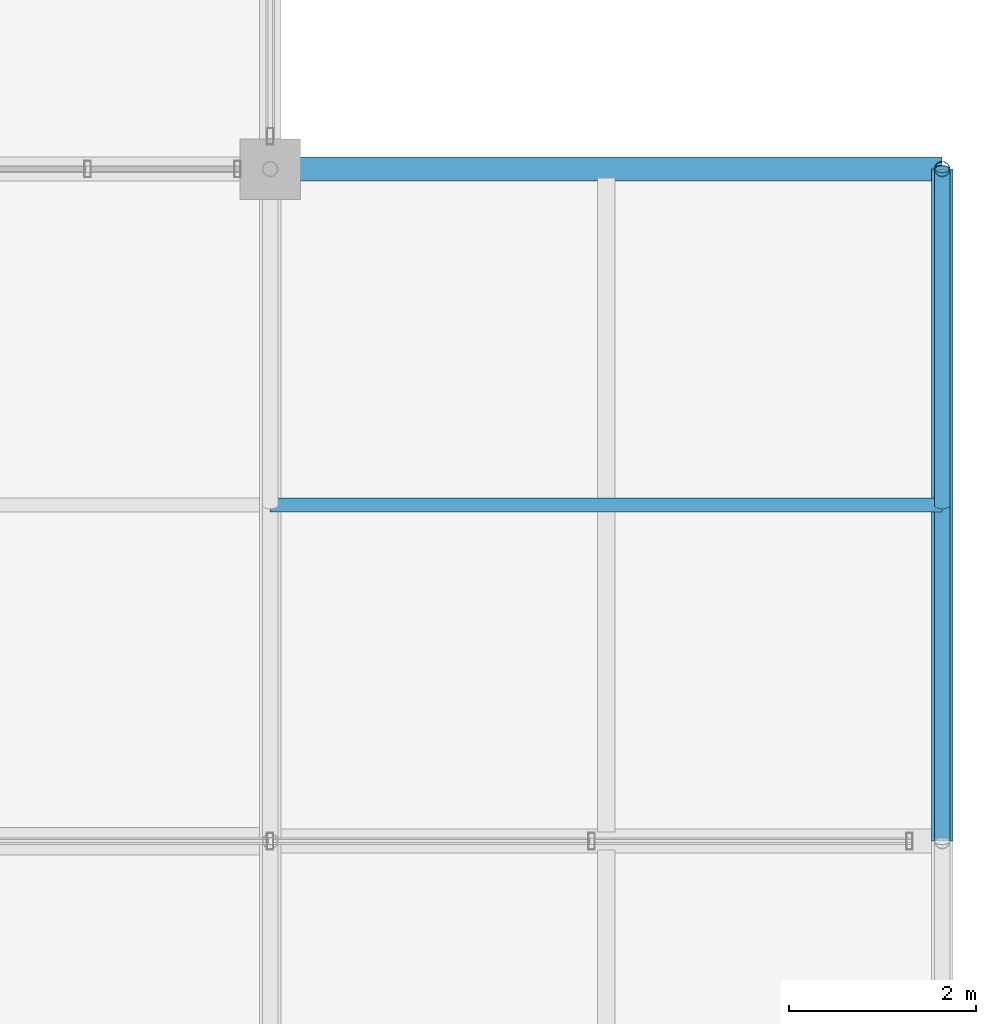
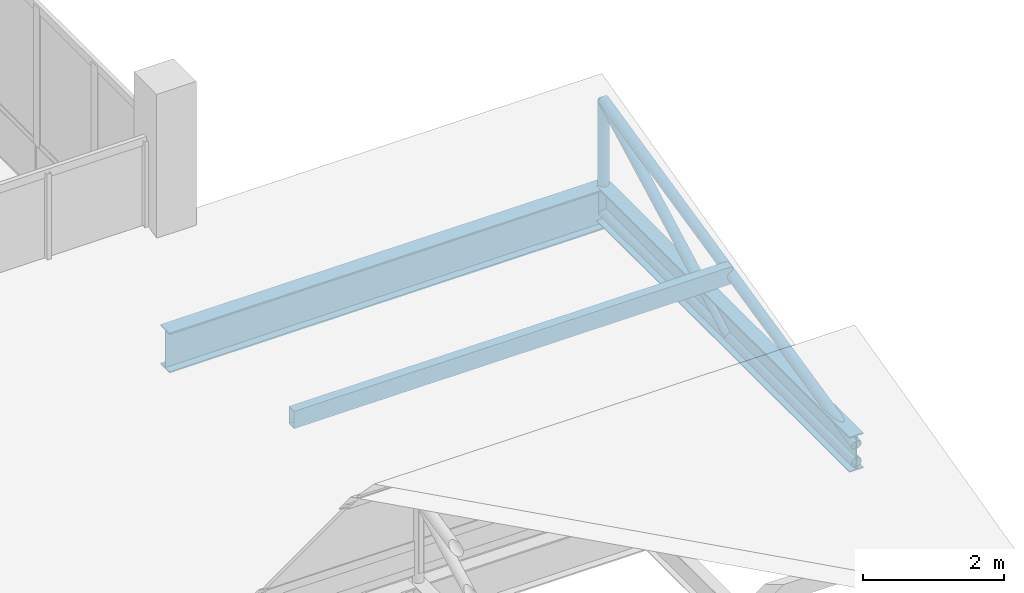
# One storey, part 85 of 144: 5 members, 2 beams.
"""IFC4 building model written with IfcOpenShell, lengths in metres."""

from ifc_helpers import new_model, si_unit, direction, frame, origin, origin_2d, place, context, subcontext, project, spatial, hollow_rectangle, hollow_circle, i_section, extrude, material, material_profile, profile_set, type_object, element, save


model = new_model("IFC4")

# Units and contexts
model_context = context("Model", 3, precision=1e-05, world=origin(), true_north=direction((0.0, 1.0)))
body_context = subcontext(model_context, "Body", "Model", "MODEL_VIEW")
ifc_project = project(units=[si_unit("LENGTHUNIT", "METRE"), si_unit("AREAUNIT", "SQUARE_METRE"), si_unit("VOLUMEUNIT", "CUBIC_METRE"), si_unit("PLANEANGLEUNIT", "RADIAN"), si_unit("MASSUNIT", "GRAM", prefix="KILO")], contexts=[model_context])

# Site, building, storey
site_placement = place(None, origin())
site = spatial("IfcSite", under=ifc_project, at=site_placement, CompositionType="ELEMENT")
building_placement = place(site_placement, origin())
building = spatial("IfcBuilding", under=site, at=building_placement, Name="Yarey Park Central Fire Station", CompositionType="ELEMENT")
storey_placement = place(building_placement, frame((0.0, 0.0, 10.199951171875)))
storey = spatial("IfcBuildingStorey", under=building, at=storey_placement, Name="L03", CompositionType="ELEMENT", Elevation=10.199951171875)

# Beams
ifc_material_1 = material(Name="Steel ASTM A992 Gr. 50", Category="steel")
ifc_material_profile_1 = material_profile(ifc_material_1, i_section(OverallWidth=0.22900390625, OverallDepth=0.612060546875, WebThickness=0.011962890625, FlangeThickness=0.01953125, at=origin_2d()), Name="W610x125")
ifc_profile_set_1 = profile_set([ifc_material_profile_1], Name="Steel ASTM A992 Gr. 50")
beam_type_1 = type_object("IfcBeamType", Name="STR_BM_W610", PredefinedType="BEAM", material=ifc_profile_set_1)
beam_1_placement = place(storey_placement, frame((165.60009765625, 86.39990234375, -0.48583984375), z_axis=(0.0, 1.0, 0.0), x_axis=(-1.0, 0.0, 0.0)))
element("IfcBeam", 1, at=beam_1_placement, inside=storey, type_object=beam_type_1, Name="BMY L03 X1656 Y864", PredefinedType="BEAM", context=body_context, shape_type="SweptSolid", body=[
    extrude(i_section(OverallWidth=0.22900390625, OverallDepth=0.612060546875, WebThickness=0.011962890625, FlangeThickness=0.01953125, at=origin_2d()), origin(), (0.0, 0.0, 1.0), 7.2001953125),
])
ifc_material_profile_2 = material_profile(ifc_material_1, i_section(OverallWidth=0.256103515625, OverallDepth=0.693115234375, WebThickness=0.014404296875, FlangeThickness=0.023681640625, at=origin_2d()), Name="W690x170")
ifc_profile_set_2 = profile_set([ifc_material_profile_2], Name="Steel ASTM A992 Gr. 50")
beam_type_2 = type_object("IfcBeamType", Name="STR_BM_W690", PredefinedType="BEAM", material=ifc_profile_set_2)
beam_2_placement = place(storey_placement, frame((158.39990234375, 93.60009765625, -0.5263671875), z_axis=(1.0, 0.0, 0.0), x_axis=(0.0, 1.0, 0.0)))
element("IfcBeam", 2, at=beam_2_placement, inside=storey, type_object=beam_type_2, Name="BMX L03 Y936 X1584", PredefinedType="BEAM", context=body_context, shape_type="SweptSolid", body=[
    extrude(i_section(OverallWidth=0.256103515625, OverallDepth=0.693115234375, WebThickness=0.014404296875, FlangeThickness=0.023681640625, at=origin_2d()), origin(), (0.0, 0.0, 1.0), 7.2001953125),
])

# Members
ifc_material_2 = material(Name="Steel ASTM A500 Gr. C", Category="steel")
ifc_material_profile_3 = material_profile(ifc_material_2, hollow_circle(Radius=0.084228515625, WallThickness=0.008056640625, at=origin_2d()), Name="CHS 168.3x8")
ifc_profile_set_3 = profile_set([ifc_material_profile_3], Name="Steel ASTM A500 Gr. C")
member_type_1 = type_object("IfcMemberType", Name="STR_CHORD_CHS168", PredefinedType="CHORD", material=ifc_profile_set_3)
member_1_placement = place(storey_placement, frame((165.60009765625, 86.39990234375, -0.64990234375), z_axis=(0.0, 1.0, 0.0), x_axis=(-1.0, 0.0, 0.0)))
element("IfcMember", 3, at=member_1_placement, inside=storey, type_object=member_type_1, Name="SAW_T4_B7_BC", PredefinedType="CHORD", context=body_context, shape_type="SweptSolid", body=[
    extrude(hollow_circle(Radius=0.084228515625, WallThickness=0.008056640625, at=origin_2d()), origin(), (0.0, 0.0, 1.0), 7.2001953125),
])
member_2_placement = place(storey_placement, frame((165.60009765625, 86.39990234375, -0.349853515625), z_axis=(0.0, 0.975465753488, 0.220151229324), x_axis=(-1.0, 0.0, 0.0)))
element("IfcMember", 4, at=member_2_placement, inside=storey, type_object=member_type_1, Name="SAW_T4_B7_TC", PredefinedType="CHORD", context=body_context, shape_type="SweptSolid", body=[
    extrude(hollow_circle(Radius=0.084228515625, WallThickness=0.008056640625, at=origin_2d()), origin(), (0.0, 0.0, 1.0), 7.38134765625),
])
ifc_material_profile_4 = material_profile(ifc_material_2, hollow_rectangle(XDim=0.14990234375, YDim=0.300048828125, WallThickness=0.010009765625, at=origin_2d()), Name="HSS 300x150x10")
ifc_profile_set_4 = profile_set([ifc_material_profile_4], Name="Steel ASTM A500 Gr. C")
member_type_2 = type_object("IfcMemberType", Name="STR_PUR_HSS300", PredefinedType="PURLIN", material=ifc_profile_set_4)
member_3_placement = place(storey_placement, frame((158.39990234375, 90.0, 0.462646484375), z_axis=(1.0, 0.0, 0.0), x_axis=(0.0, 1.0, 0.0)))
element("IfcMember", 5, at=member_3_placement, inside=storey, type_object=member_type_2, Name="SAW_PUR_3_B7", PredefinedType="PURLIN", context=body_context, shape_type="SweptSolid", body=[
    extrude(hollow_rectangle(XDim=0.14990234375, YDim=0.300048828125, WallThickness=0.010009765625, at=origin_2d()), origin(), (0.0, 0.0, 1.0), 7.2001953125),
])
ifc_material_profile_5 = material_profile(ifc_material_2, hollow_circle(Radius=0.084228515625, WallThickness=0.008056640625, at=origin_2d()), Name="CHS 168.3x8")
ifc_profile_set_5 = profile_set([ifc_material_profile_5], Name="Steel ASTM A500 Gr. C")
member_type_3 = type_object("IfcMemberType", Name="STR_WEB_CHS168", PredefinedType="BRACE", material=ifc_profile_set_5)
member_4_placement = place(storey_placement, frame((165.60009765625, 93.60009765625, -0.64990234375), z_axis=(0.0, 0.0, 1.0), x_axis=(1.0, 0.0, 0.0)))
element("IfcMember", 6, at=member_4_placement, inside=storey, type_object=member_type_3, Name="SAW_T4_B7_VT", PredefinedType="BRACE", context=body_context, shape_type="SweptSolid", body=[
    extrude(hollow_circle(Radius=0.084228515625, WallThickness=0.008056640625, at=origin_2d()), origin(), (0.0, 0.0, 1.0), 1.925048828125),
])
member_5_placement = place(storey_placement, frame((165.60009765625, 90.0, -0.64990234375), z_axis=(0.0, 0.881844210833, 0.471540865483), x_axis=(-1.0, 0.0, 0.0)))
element("IfcMember", 7, at=member_5_placement, inside=storey, type_object=member_type_3, Name="SAW_T4_B7_DG", PredefinedType="BRACE", context=body_context, shape_type="SweptSolid", body=[
    extrude(hollow_circle(Radius=0.084228515625, WallThickness=0.008056640625, at=origin_2d()), origin(), (0.0, 0.0, 1.0), 4.08251953125),
])

save(model, "model.ifc")
